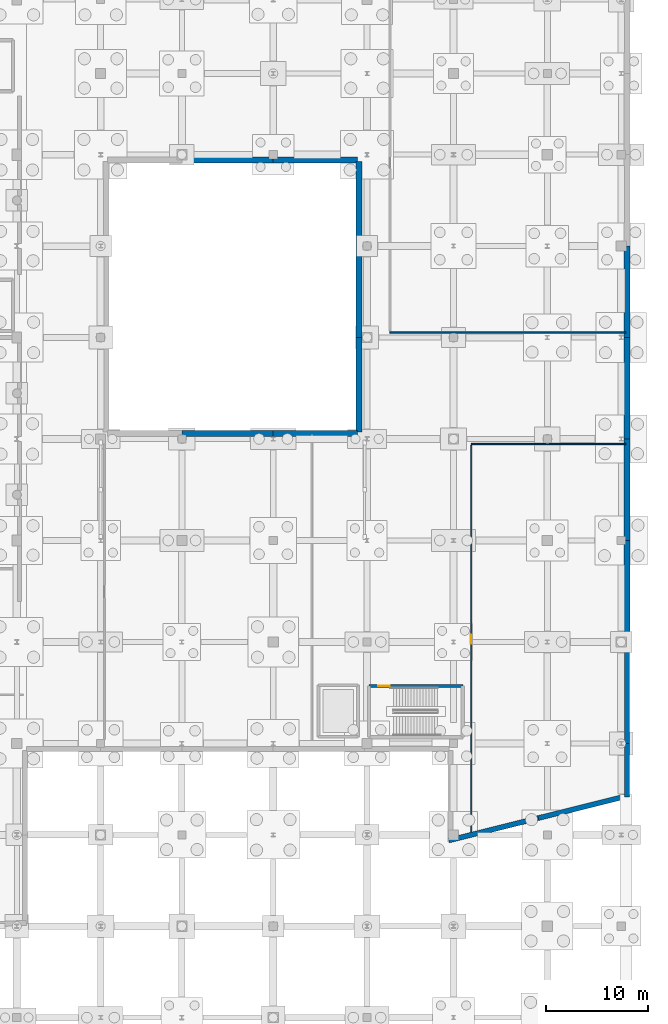
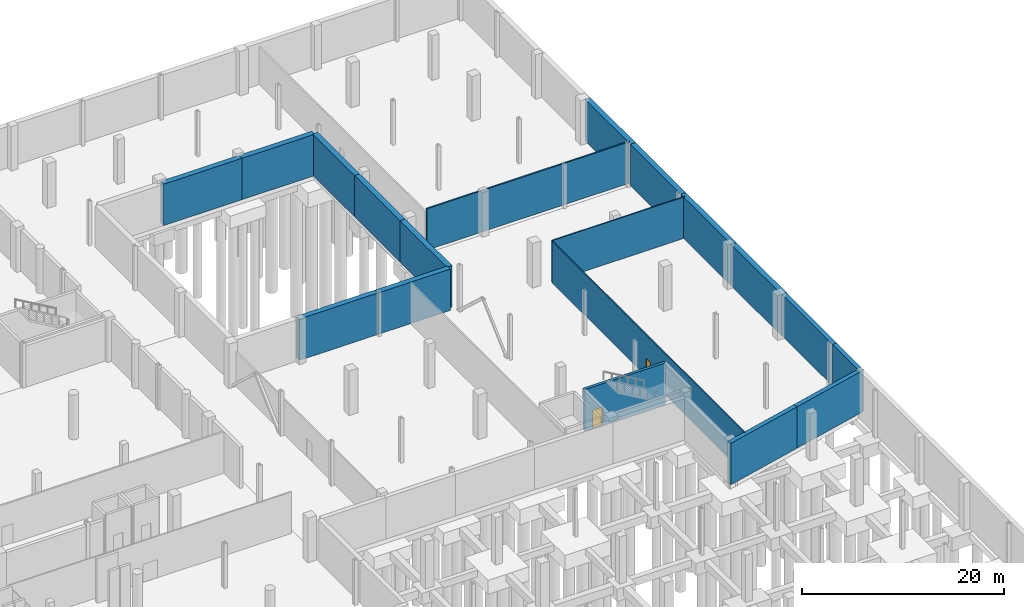
# One storey, part 49 of 60: 19 walls, 2 doors, 2 openings.
"""IFC4 building model written with IfcOpenShell, lengths in metres."""

from ifc_helpers import new_model, si_unit, direction, frame, frame_2d, origin, place, context, subcontext, project, spatial, rectangle, extrude, material, layer, layer_set, type_object, element, fill, save


model = new_model("IFC4")

# Units and contexts
model_context = context("Model", 3, precision=1e-05, world=origin(), true_north=direction((0.0, 1.0)))
body_context = subcontext(model_context, "Body", "Model", "MODEL_VIEW")
ifc_project = project(units=[si_unit("LENGTHUNIT", "METRE"), si_unit("AREAUNIT", "SQUARE_METRE"), si_unit("VOLUMEUNIT", "CUBIC_METRE"), si_unit("PLANEANGLEUNIT", "RADIAN"), si_unit("MASSUNIT", "GRAM", prefix="KILO")], contexts=[model_context])

# Site, building, storey
site_placement = place(None, origin())
site = spatial("IfcSite", under=ifc_project, at=site_placement, CompositionType="ELEMENT")
building_placement = place(site_placement, origin())
building = spatial("IfcBuilding", under=site, at=building_placement, Name="Trimount Lyric Opera House", CompositionType="ELEMENT")
storey_placement = place(building_placement, frame((0.0, 0.0, -5.39990234375)))
storey = spatial("IfcBuildingStorey", under=building, at=storey_placement, Name="B1", CompositionType="ELEMENT", Elevation=-5.39990234375)

# Wall
ifc_material_1 = material(Name="Gypsum Board Partition")
ifc_layer_1 = layer(ifc_material_1, 0.1201171875)
ifc_layer_set_1 = layer_set([ifc_layer_1], Name="WL-PT120")
wall_type_1 = type_object("IfcWallType", Name="WL-PT120", PredefinedType="PARTITIONING", material=ifc_layer_set_1)
wall_1_placement = place(storey_placement, frame((173.75, 73.5, 0.0), z_axis=(0.0, 0.0, 1.0), x_axis=(-1.0, 0.0, 0.0)))
element("IfcWall", 1, at=wall_1_placement, inside=storey, type_object=wall_type_1, Name="B1 Facilities & Stage Operations N partition", PredefinedType="PARTITIONING", context=body_context, shape_type="SweptSolid", body=[
    extrude(rectangle(XDim=15.25, YDim=0.1201171875, at=frame_2d((7.625, 0.0))), origin(), (0.0, 0.0, 1.0), 5.02001953125),
])

# Wall, opening, door
wall_2_placement = place(storey_placement, frame((158.5, 73.3798828125, 0.0), z_axis=(0.0, 0.0, 1.0), x_axis=(0.0, -1.0, 0.0)))
wall_2 = element("IfcWall", 2, at=wall_2_placement, inside=storey, type_object=wall_type_1, Name="B1 Facilities & Stage Operations W partition", PredefinedType="PARTITIONING", context=body_context, shape_type="SweptSolid", body=[
    extrude(rectangle(XDim=38.233154296875, YDim=0.1201171875, at=frame_2d((19.11669921875, 0.0))), origin(), (0.0, 0.0, 1.0), 5.02001953125),
])
opening_1_placement = place(wall_2_placement, frame((18.66650390625, 0.0, 0.0)))
opening_1 = element("IfcOpeningElement", 3, at=opening_1_placement, cuts=wall_2, Name="Opening DT-RM4", PredefinedType="OPENING", context=body_context, shape_type="SweptSolid", body=[
    extrude(rectangle(XDim=0.89990234375, YDim=2.14990234375, at=frame_2d((0.449951171875, 1.074951171875))), frame((0.0, 0.070068359375, 0.0), z_axis=(0.0, -1.0, 0.0), x_axis=(1.0, 0.0, 0.0)), (0.0, 0.0, 1.0), 0.14013671875),
])
ifc_material_2 = material(Name="Solid Core White Oak")
door_type_1 = type_object("IfcDoorType", Name="DT-RM4", OperationType="NOTDEFINED", PredefinedType="DOOR", material=ifc_material_2)
door_1_placement = place(opening_1_placement, origin())
door_1 = element("IfcDoor", 4, at=door_1_placement, inside=storey, type_object=door_type_1, Name="D-173", OperationType="SINGLE_SWING_LEFT", OverallHeight=2.14990234375, OverallWidth=0.89990234375, PredefinedType="DOOR", context=body_context, shape_type="SweptSolid", body=[
    extrude(rectangle(XDim=0.89990234375, YDim=2.14990234375, at=frame_2d((0.449951171875, 1.074951171875))), frame((0.0, 0.02490234375, 0.0), z_axis=(0.0, -1.0, 0.0), x_axis=(1.0, 0.0, 0.0)), (0.0, 0.0, 1.0), 0.050048828125),
])
fill(opening_1, door_1)

# Walls
ifc_material_3 = material(Name="Acoustic Double-Stud Gypsum Board")
ifc_layer_2 = layer(ifc_material_3, 0.1650390625)
ifc_layer_set_2 = layer_set([ifc_layer_2], Name="WL-PT165")
wall_type_2 = type_object("IfcWallType", Name="WL-PT165", PredefinedType="PARTITIONING", material=ifc_layer_set_2)
wall_3_placement = place(storey_placement, frame((150.5, 84.5, 0.0), z_axis=(0.0, 0.0, 1.0), x_axis=(1.0, 0.0, 0.0)))
element("IfcWall", 5, at=wall_3_placement, inside=storey, type_object=wall_type_2, Name="B1 Stage Automation Lab S partition", PredefinedType="PARTITIONING", context=body_context, shape_type="SweptSolid", body=[
    extrude(rectangle(XDim=23.25, YDim=0.1650390625, at=frame_2d((11.625, 0.0))), origin(), (0.0, 0.0, 1.0), 5.02001953125),
])
ifc_material_4 = material(Name="Concrete C40/50", Category="concrete")
ifc_layer_3 = layer(ifc_material_4, 0.5)
ifc_layer_set_3 = layer_set([ifc_layer_3], Name="WL-RET500")
wall_type_3 = type_object("IfcWallType", Name="WL-RET500", PredefinedType="USERDEFINED", material=ifc_layer_set_3)
wall_4_placement = place(storey_placement, frame((173.860107421875, 54.0, 0.0), z_axis=(0.0, 0.0, 1.0), x_axis=(0.0, -1.0, 0.0)))
element("IfcWall", 6, at=wall_4_placement, inside=storey, type_object=wall_type_3, Name="B1 exterior retaining wall 035", ObjectType="RETAININGWALL", PredefinedType="USERDEFINED", context=body_context, shape_type="SweptSolid", body=[
    extrude(rectangle(XDim=10.0, YDim=0.5, at=frame_2d((5.0, 0.0))), origin(), (0.0, 0.0, 1.0), 5.02001953125),
])
wall_5_placement = place(storey_placement, frame((173.860107421875, 44.0, 0.0), z_axis=(0.0, 0.0, 1.0), x_axis=(0.0, -1.0, 0.0)))
element("IfcWall", 7, at=wall_5_placement, inside=storey, type_object=wall_type_3, Name="B1 exterior retaining wall 036", ObjectType="RETAININGWALL", PredefinedType="USERDEFINED", context=body_context, shape_type="SweptSolid", body=[
    extrude(rectangle(XDim=5.280029296875, YDim=0.5, at=frame_2d((2.64013671875, 0.0))), origin(), (0.0, 0.0, 1.0), 5.02001953125),
])
wall_6_placement = place(storey_placement, frame((173.96630859375, 38.85595703125, 0.0), z_axis=(0.0, 0.0, 1.0), x_axis=(-0.970395779274, -0.241520250844, 0.0)))
element("IfcWall", 8, at=wall_6_placement, inside=storey, type_object=wall_type_3, Name="B1 exterior retaining wall 037", ObjectType="RETAININGWALL", PredefinedType="USERDEFINED", context=body_context, shape_type="SweptSolid", body=[
    extrude(rectangle(XDim=9.10986328125, YDim=0.5, at=frame_2d((4.554931640625, 0.0))), origin(), (0.0, 0.0, 1.0), 5.02001953125),
])
wall_7_placement = place(storey_placement, frame((165.126220703125, 36.65576171875, 0.0), z_axis=(0.0, 0.0, 1.0), x_axis=(-0.970402060073, -0.241495014039, 0.0)))
element("IfcWall", 9, at=wall_7_placement, inside=storey, type_object=wall_type_3, Name="B1 exterior retaining wall 038", ObjectType="RETAININGWALL", PredefinedType="USERDEFINED", context=body_context, shape_type="SweptSolid", body=[
    extrude(rectangle(XDim=9.109619140625, YDim=0.5, at=frame_2d((4.5546875, 0.0))), origin(), (0.0, 0.0, 1.0), 5.02001953125),
])
ifc_material_5 = material(Name="Concrete C40/50", Category="concrete")
ifc_layer_4 = layer(ifc_material_5, 0.60009765625)
ifc_layer_set_4 = layer_set([ifc_layer_4], Name="WL-RET600")
wall_type_4 = type_object("IfcWallType", Name="WL-RET600", PredefinedType="USERDEFINED", material=ifc_layer_set_4)
wall_8_placement = place(storey_placement, frame((173.860107421875, 93.0, 0.0), z_axis=(0.0, 0.0, 1.0), x_axis=(0.0, -1.0, 0.0)))
element("IfcWall", 10, at=wall_8_placement, inside=storey, type_object=wall_type_4, Name="B1 exterior retaining wall 031", ObjectType="RETAININGWALL", PredefinedType="USERDEFINED", context=body_context, shape_type="SweptSolid", body=[
    extrude(rectangle(XDim=9.0, YDim=0.60009765625, at=frame_2d((4.5, 0.0))), origin(), (0.0, 0.0, 1.0), 5.02001953125),
])
for number, where, z_axis, x_axis, name in (
    (11, (173.860107421875, 84.0, 0.0), (0.0, 0.0, 1.0), (0.0, -1.0, 0.0), "B1 exterior retaining wall 032"),
    (12, (173.860107421875, 74.0, 0.0), (0.0, 0.0, 1.0), (0.0, -1.0, 0.0), "B1 exterior retaining wall 033"),
    (13, (173.860107421875, 64.0, 0.0), (0.0, 0.0, 1.0), (0.0, -1.0, 0.0), "B1 exterior retaining wall 034"),
):
    element("IfcWall", number, at=place(storey_placement, frame(where, z_axis=z_axis, x_axis=x_axis)), inside=storey, type_object=wall_type_4, Name=name, ObjectType="RETAININGWALL", PredefinedType="USERDEFINED", context=body_context, shape_type="SweptSolid", body=[
        extrude(rectangle(XDim=10.0, YDim=0.60009765625, at=frame_2d((5.0, 0.0))), origin(), (0.0, 0.0, 1.0), 5.02001953125),
    ])
wall_9_placement = place(storey_placement, frame((130.0, 74.5400390625, 0.0), z_axis=(0.0, 0.0, 1.0), x_axis=(1.0, 0.0, 0.0)))
element("IfcWall", 14, at=wall_9_placement, inside=storey, type_object=wall_type_4, Name="B1 exterior retaining wall 083", ObjectType="RETAININGWALL", PredefinedType="USERDEFINED", context=body_context, shape_type="SweptSolid", body=[
    extrude(rectangle(XDim=9.0, YDim=0.60009765625, at=frame_2d((4.5, 0.0))), origin(), (0.0, 0.0, 1.0), 5.02001953125),
])
wall_10_placement = place(storey_placement, frame((139.0, 74.5400390625, 0.0), z_axis=(0.0, 0.0, 1.0), x_axis=(1.0, 0.0, 0.0)))
element("IfcWall", 15, at=wall_10_placement, inside=storey, type_object=wall_type_4, Name="B1 exterior retaining wall 084", ObjectType="RETAININGWALL", PredefinedType="USERDEFINED", context=body_context, shape_type="SweptSolid", body=[
    extrude(rectangle(XDim=8.320068359375, YDim=0.60009765625, at=frame_2d((4.16015625, 0.0))), origin(), (0.0, 0.0, 1.0), 5.02001953125),
])
wall_11_placement = place(storey_placement, frame((147.4599609375, 74.679931640625, 0.0), z_axis=(0.0, 0.0, 1.0), x_axis=(0.0, 1.0, 0.0)))
element("IfcWall", 16, at=wall_11_placement, inside=storey, type_object=wall_type_4, Name="B1 exterior retaining wall 085", ObjectType="RETAININGWALL", PredefinedType="USERDEFINED", context=body_context, shape_type="SweptSolid", body=[
    extrude(rectangle(XDim=9.320068359375, YDim=0.60009765625, at=frame_2d((4.66015625, 0.0))), origin(), (0.0, 0.0, 1.0), 5.02001953125),
])
wall_12_placement = place(storey_placement, frame((147.4599609375, 84.0, 0.0), z_axis=(0.0, 0.0, 1.0), x_axis=(0.0, 1.0, 0.0)))
element("IfcWall", 17, at=wall_12_placement, inside=storey, type_object=wall_type_4, Name="B1 exterior retaining wall 086", ObjectType="RETAININGWALL", PredefinedType="USERDEFINED", context=body_context, shape_type="SweptSolid", body=[
    extrude(rectangle(XDim=9.0, YDim=0.60009765625, at=frame_2d((4.5, 0.0))), origin(), (0.0, 0.0, 1.0), 5.02001953125),
])
for number, where, z_axis, x_axis, name in (
    (18, (147.4599609375, 93.0, 0.0), (0.0, 0.0, 1.0), (0.0, 1.0, 0.0), "B1 exterior retaining wall 087"),
    (19, (147.320068359375, 101.4599609375, 0.0), (0.0, 0.0, 1.0), (-1.0, 0.0, 0.0), "B1 exterior retaining wall 088"),
):
    element("IfcWall", number, at=place(storey_placement, frame(where, z_axis=z_axis, x_axis=x_axis)), inside=storey, type_object=wall_type_4, Name=name, ObjectType="RETAININGWALL", PredefinedType="USERDEFINED", context=body_context, shape_type="SweptSolid", body=[
        extrude(rectangle(XDim=8.320068359375, YDim=0.60009765625, at=frame_2d((4.16015625, 0.0))), origin(), (0.0, 0.0, 1.0), 5.02001953125),
    ])
wall_13_placement = place(storey_placement, frame((139.0, 101.4599609375, 0.0), z_axis=(0.0, 0.0, 1.0), x_axis=(-1.0, 0.0, 0.0)))
element("IfcWall", 20, at=wall_13_placement, inside=storey, type_object=wall_type_4, Name="B1 exterior retaining wall 089", ObjectType="RETAININGWALL", PredefinedType="USERDEFINED", context=body_context, shape_type="SweptSolid", body=[
    extrude(rectangle(XDim=9.0, YDim=0.60009765625, at=frame_2d((4.5, 0.0))), origin(), (0.0, 0.0, 1.0), 5.02001953125),
])

# Wall, opening, door
ifc_material_6 = material(Name="Concrete C40/50", Category="concrete")
ifc_layer_5 = layer(ifc_material_6, 0.320068359375)
ifc_layer_set_5 = layer_set([ifc_layer_5], Name="WL-SH320")
wall_type_5 = type_object("IfcWallType", Name="WL-SH320", PredefinedType="SHEAR", material=ifc_layer_set_5)
wall_14_placement = place(storey_placement, frame((157.675048828125, 49.675048828125, 0.0), z_axis=(0.0, 0.0, 1.0), x_axis=(-1.0, 0.0, 0.0)))
wall_14 = element("IfcWall", 21, at=wall_14_placement, inside=storey, type_object=wall_type_5, Name="K5 B1 north shaft wall", PredefinedType="SHEAR", context=body_context, shape_type="SweptSolid", body=[
    extrude(rectangle(XDim=9.25, YDim=0.320068359375, at=frame_2d((4.625, 0.0))), origin(), (0.0, 0.0, 1.0), 5.02001953125),
])
opening_2_placement = place(wall_14_placement, frame((7.199951171875, 0.0, 0.0)))
opening_2 = element("IfcOpeningElement", 22, at=opening_2_placement, cuts=wall_14, Name="Opening DT-ST1", PredefinedType="OPENING", context=body_context, shape_type="SweptSolid", body=[
    extrude(rectangle(XDim=1.14990234375, YDim=2.199951171875, at=frame_2d((0.574951171875, 1.10009765625))), frame((0.0, 0.169921875, 0.0), z_axis=(0.0, -1.0, 0.0), x_axis=(1.0, 0.0, 0.0)), (0.0, 0.0, 1.0), 0.340087890625),
])
ifc_material_7 = material(Name="Fire-Rated Hollow Steel", Category="steel")
door_type_2 = type_object("IfcDoorType", Name="DT-ST1", OperationType="NOTDEFINED", PredefinedType="DOOR", material=ifc_material_7)
door_2_placement = place(opening_2_placement, origin())
door_2 = element("IfcDoor", 23, at=door_2_placement, inside=storey, type_object=door_type_2, Name="D-039", OperationType="SINGLE_SWING_LEFT", OverallHeight=2.199951171875, OverallWidth=1.14990234375, PredefinedType="DOOR", context=body_context, shape_type="SweptSolid", body=[
    extrude(rectangle(XDim=1.14990234375, YDim=2.199951171875, at=frame_2d((0.574951171875, 1.10009765625))), frame((0.0, 0.02490234375, 0.0), z_axis=(0.0, -1.0, 0.0), x_axis=(1.0, 0.0, 0.0)), (0.0, 0.0, 1.0), 0.050048828125),
])
fill(opening_2, door_2)

save(model, "model.ifc")
